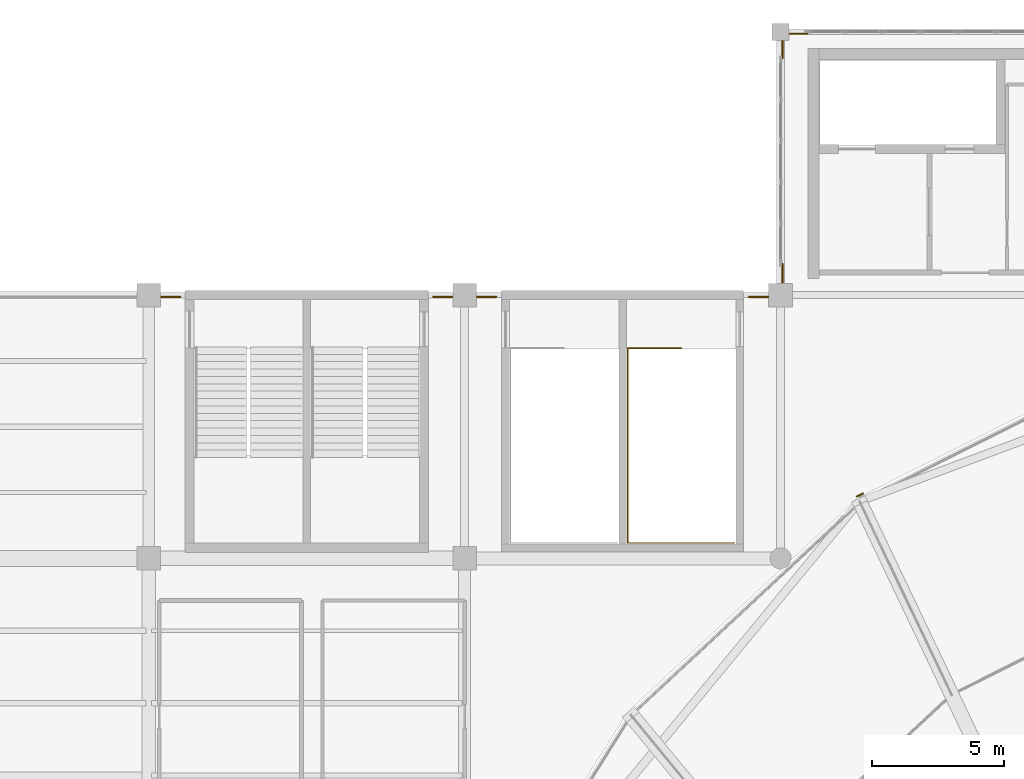
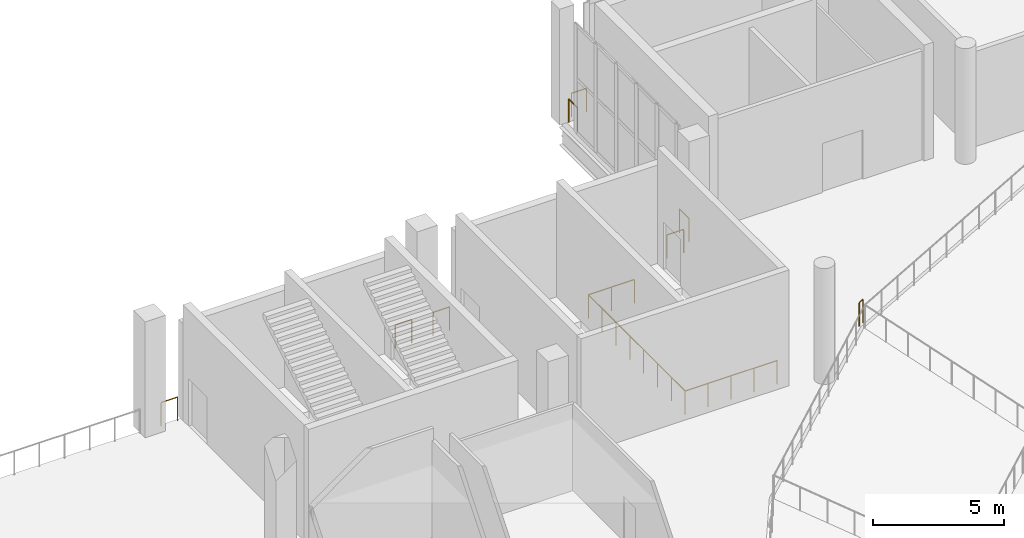
# One storey, part 69 of 74: 9 railings.
"""IFC4 building model written with IfcOpenShell, lengths in metres."""

from ifc_helpers import new_model, si_unit, direction, frame, origin, origin_2d, place, context, subcontext, project, spatial, circle, extrude, material, type_object, element, save


model = new_model("IFC4")

# Units and contexts
model_context = context("Model", 3, precision=1e-05, world=origin(), true_north=direction((0.0, 1.0)))
body_context = subcontext(model_context, "Body", "Model", "MODEL_VIEW")
ifc_project = project(units=[si_unit("LENGTHUNIT", "METRE"), si_unit("AREAUNIT", "SQUARE_METRE"), si_unit("VOLUMEUNIT", "CUBIC_METRE"), si_unit("PLANEANGLEUNIT", "RADIAN"), si_unit("MASSUNIT", "GRAM", prefix="KILO")], contexts=[model_context])

# Site, building, storey
site_placement = place(None, origin())
site = spatial("IfcSite", under=ifc_project, at=site_placement, CompositionType="ELEMENT")
building_placement = place(site_placement, origin())
building = spatial("IfcBuilding", under=site, at=building_placement, Name="Brinegate Civic Arena", CompositionType="ELEMENT")
storey_placement = place(building_placement, frame((0.0, 0.0, 19.199951171875)))
storey = spatial("IfcBuildingStorey", under=building, at=storey_placement, Name="L04", CompositionType="ELEMENT", Elevation=19.199951171875)

# Railings
ifc_material = material(Name="Architectural stainless steel balustrade", Category="steel")
railing_type_1 = type_object("IfcRailingType", Name="RAIL-STAIR-GUARD-1100", PredefinedType="GUARDRAIL", material=ifc_material)
railing_1_placement = place(storey_placement, frame((80.22509765625, 111.97998046875, 0.0)))
element("IfcRailing", 1, at=railing_1_placement, inside=storey, type_object=railing_type_1, Name="Top Stairwell Edge Guard ST-11B L04", PredefinedType="GUARDRAIL", context=body_context, shape_type="SweptSolid", body=[
    extrude(circle(Radius=0.02392578125, at=origin_2d()), frame((-0.00146484375, 0.0, 1.09619140625), z_axis=(-1.0, 0.0, 0.0), x_axis=(0.0, -1.0, 0.0)), (0.0, 0.0, 1.0), 2.027099609375),
    extrude(circle(Radius=0.02392578125, at=origin_2d()), frame((-2.030029296875, -0.00146484375, 1.09619140625), z_axis=(0.0, -1.0, 0.0), x_axis=(1.0, 0.0, 0.0)), (0.0, 0.0, 1.0), 7.39697265625),
    extrude(circle(Radius=0.02392578125, at=origin_2d()), frame((-2.028564453125, -7.39990234375, 1.09619140625), z_axis=(1.0, 0.0, 0.0), x_axis=(0.0, 1.0, 0.0)), (0.0, 0.0, 1.0), 4.056884765625),
    extrude(circle(Radius=0.02099609375, at=origin_2d()), origin(), (0.0, 0.0, 1.0), 1.070068359375),
    extrude(circle(Radius=0.02099609375, at=origin_2d()), frame((-1.01513671875, 0.0, 0.0)), (0.0, 0.0, 1.0), 1.070068359375),
    extrude(circle(Radius=0.02099609375, at=origin_2d()), frame((-2.030029296875, 0.0, 0.0)), (0.0, 0.0, 1.0), 1.070068359375),
    extrude(circle(Radius=0.02099609375, at=origin_2d()), frame((-2.030029296875, -1.05712890625, 0.0)), (0.0, 0.0, 1.0), 1.070068359375),
    extrude(circle(Radius=0.02099609375, at=origin_2d()), frame((-2.030029296875, -2.1142578125, 0.0)), (0.0, 0.0, 1.0), 1.070068359375),
    extrude(circle(Radius=0.02099609375, at=origin_2d()), frame((-2.030029296875, -3.17138671875, 0.0)), (0.0, 0.0, 1.0), 1.070068359375),
    extrude(circle(Radius=0.02099609375, at=origin_2d()), frame((-2.030029296875, -4.228515625, 0.0)), (0.0, 0.0, 1.0), 1.070068359375),
    extrude(circle(Radius=0.02099609375, at=origin_2d()), frame((-2.030029296875, -5.28564453125, 0.0)), (0.0, 0.0, 1.0), 1.070068359375),
    extrude(circle(Radius=0.02099609375, at=origin_2d()), frame((-2.030029296875, -6.3427734375, 0.0)), (0.0, 0.0, 1.0), 1.070068359375),
    extrude(circle(Radius=0.02099609375, at=origin_2d()), frame((-2.030029296875, -7.39990234375, 0.0)), (0.0, 0.0, 1.0), 1.070068359375),
    extrude(circle(Radius=0.02099609375, at=origin_2d()), frame((-1.01513671875, -7.39990234375, 0.0)), (0.0, 0.0, 1.0), 1.070068359375),
    extrude(circle(Radius=0.02099609375, at=origin_2d()), frame((0.0, -7.39990234375, 0.0)), (0.0, 0.0, 1.0), 1.070068359375),
    extrude(circle(Radius=0.02099609375, at=origin_2d()), frame((1.014892578125, -7.39990234375, 0.0)), (0.0, 0.0, 1.0), 1.070068359375),
    extrude(circle(Radius=0.02099609375, at=origin_2d()), frame((2.02978515625, -7.39990234375, 0.0)), (0.0, 0.0, 1.0), 1.070068359375),
])
railing_type_2 = type_object("IfcRailingType", Name="RAIL-VOID-BALUSTRADE-1120", PredefinedType="BALUSTRADE", material=ifc_material)
railing_2_placement = place(storey_placement, frame((84.070068359375, 114.469970703125, 0.0)))
element("IfcRailing", 2, at=railing_2_placement, inside=storey, type_object=railing_type_2, Name="Deck Edge Balustrade L04-332", PredefinedType="BALUSTRADE", context=body_context, shape_type="SweptSolid", body=[
    extrude(circle(Radius=0.02392578125, at=origin_2d()), frame((0.0, 0.00146484375, 1.09619140625), z_axis=(0.0, 1.0, 0.0), x_axis=(-1.0, 0.0, 0.0)), (0.0, 0.0, 1.0), 0.713134765625),
    extrude(circle(Radius=0.02099609375, at=origin_2d()), origin(), (0.0, 0.0, 1.0), 1.070068359375),
    extrude(circle(Radius=0.02099609375, at=origin_2d()), frame((0.0, 0.716064453125, 0.0)), (0.0, 0.0, 1.0), 1.070068359375),
])
railing_3_placement = place(storey_placement, frame((84.070068359375, 122.989990234375, 0.0)))
element("IfcRailing", 3, at=railing_3_placement, inside=storey, type_object=railing_type_2, Name="Deck Edge Balustrade L04-333", PredefinedType="BALUSTRADE", context=body_context, shape_type="SweptSolid", body=[
    extrude(circle(Radius=0.02392578125, at=origin_2d()), frame((0.0, 0.00146484375, 1.09619140625), z_axis=(0.0, 1.0, 0.0), x_axis=(-1.0, 0.0, 0.0)), (0.0, 0.0, 1.0), 0.662109375),
    extrude(circle(Radius=0.02099609375, at=origin_2d()), origin(), (0.0, 0.0, 1.0), 1.070068359375),
    extrude(circle(Radius=0.02099609375, at=origin_2d()), frame((0.0, 0.6650390625, 0.0)), (0.0, 0.0, 1.0), 1.070068359375),
])
railing_4_placement = place(storey_placement, frame((84.344970703125, 123.929931640625, 0.0)))
element("IfcRailing", 4, at=railing_4_placement, inside=storey, type_object=railing_type_2, Name="Deck Edge Balustrade L04-334", PredefinedType="BALUSTRADE", context=body_context, shape_type="SweptSolid", body=[
    extrude(circle(Radius=0.02392578125, at=origin_2d()), frame((0.00146484375, 0.0, 1.09619140625), z_axis=(1.0, 0.0, 0.0), x_axis=(0.0, 1.0, 0.0)), (0.0, 0.0, 1.0), 0.662109375),
    extrude(circle(Radius=0.02099609375, at=origin_2d()), origin(), (0.0, 0.0, 1.0), 1.070068359375),
    extrude(circle(Radius=0.02099609375, at=origin_2d()), frame((0.6650390625, 0.0, 0.0)), (0.0, 0.0, 1.0), 1.070068359375),
])
for number, where, name in (
    (5, (60.469970703125, 113.929931640625, 0.0), "Deck Edge Balustrade L04-385"),
    (6, (70.800048828125, 113.929931640625, 0.0), "Deck Edge Balustrade L04-386"),
    (7, (72.469970703125, 113.929931640625, 0.0), "Deck Edge Balustrade L04-387"),
    (8, (82.800048828125, 113.929931640625, 0.0), "Deck Edge Balustrade L04-388"),
):
    element("IfcRailing", number, at=place(storey_placement, frame(where)), inside=storey, type_object=railing_type_2, Name=name, PredefinedType="BALUSTRADE", context=body_context, shape_type="SweptSolid", body=[
        extrude(circle(Radius=0.02392578125, at=origin_2d()), frame((0.00146484375, 0.0, 1.09619140625), z_axis=(1.0, 0.0, 0.0), x_axis=(0.0, 1.0, 0.0)), (0.0, 0.0, 1.0), 0.72705078125),
        extrude(circle(Radius=0.02099609375, at=origin_2d()), origin(), (0.0, 0.0, 1.0), 1.070068359375),
        extrude(circle(Radius=0.02099609375, at=origin_2d()), frame((0.72998046875, 0.0, 0.0)), (0.0, 0.0, 1.0), 1.070068359375),
    ])
railing_5_placement = place(storey_placement, frame((87.1259765625, 106.466064453125, 0.0)))
element("IfcRailing", 9, at=railing_5_placement, inside=storey, type_object=railing_type_2, Name="Deck Edge Balustrade L04-391", PredefinedType="BALUSTRADE", context=body_context, shape_type="SweptSolid", body=[
    extrude(circle(Radius=0.02392578125, at=origin_2d()), frame((-0.001220703125, -0.000732421875, 1.09619140625), z_axis=(-0.893657132261, -0.448750409426, 0.0), x_axis=(0.448750409426, -0.893657132261, 0.0)), (0.0, 0.0, 1.0), 0.2509765625),
    extrude(circle(Radius=0.02099609375, at=origin_2d()), origin(), (0.0, 0.0, 1.0), 1.070068359375),
    extrude(circle(Radius=0.02099609375, at=origin_2d()), frame((-0.22705078125, -0.114013671875, 0.0)), (0.0, 0.0, 1.0), 1.070068359375),
])

save(model, "model.ifc")
